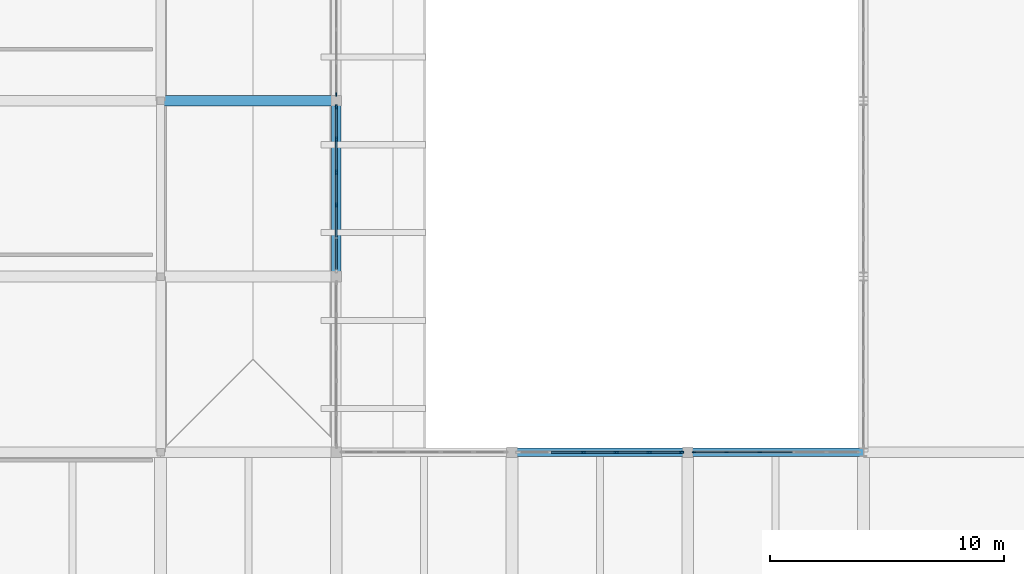
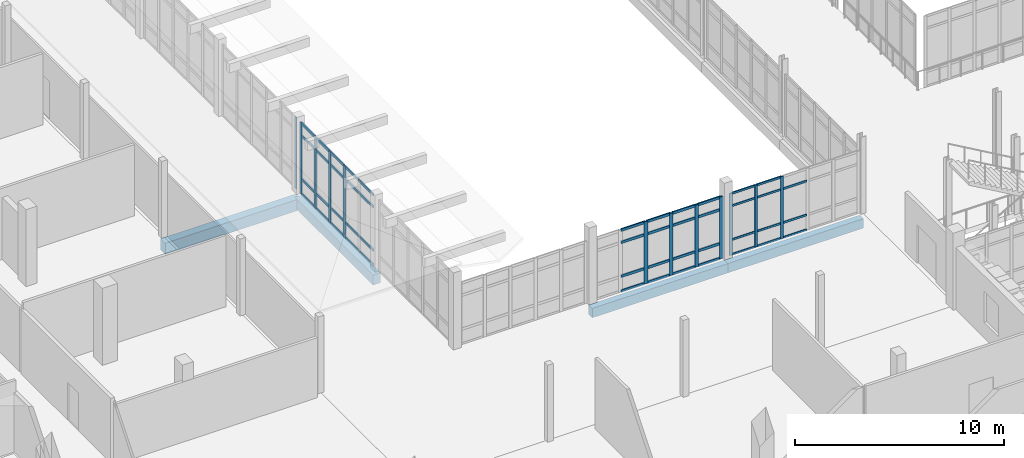
# One storey, part 22 of 128: 59 members, 4 beams, 4 elements without a shape of their own.
"""IFC4 building model written with IfcOpenShell, lengths in metres."""

import ifcopenshell
import ifcopenshell.guid

model = None  # the IFC model being written
_history = None  # IfcOwnerHistory: only IFC2X3 demands one
_inside = {}  # id of a spatial element -> (the spatial element, [elements in it])
_under = {}  # id of a project, library or spatial element -> (it, [spatial elements below it])
_declared = {}  # id of a project -> (the project, [libraries it declares])
_typed = {}  # id of a type object -> (the type object, [elements of that type])
_made_of = {}  # id of a material, layer set ... -> (it, [elements and type objects made of it])


def new_model(schema):
    """Start an empty IFC model of exactly this schema.

    Asked for "IFC4X3", IfcOpenShell would pick the latest addendum, in which some entities
    have other attributes; the version numbers below select the first issue.
    IFC2X3 requires an IfcOwnerHistory on every rooted entity: one is made here for all.
    """
    global model, _history
    if schema == "IFC4X3":
        model = ifcopenshell.file(schema_version=(4, 3, 0, 0))
    else:
        model = ifcopenshell.file(schema=schema)
    _inside.clear()
    _under.clear()
    _declared.clear()
    _typed.clear()
    _made_of.clear()
    _history = None
    if model.schema == "IFC2X3":
        org = make("IfcOrganization", Name="unknown")
        user = make(
            "IfcPersonAndOrganization",
            ThePerson=make("IfcPerson", FamilyName="unknown"),
            TheOrganization=org,
        )
        app = make(
            "IfcApplication",
            ApplicationDeveloper=org,
            Version="unknown",
            ApplicationFullName="unknown",
            ApplicationIdentifier="unknown",
        )
        _history = make(
            "IfcOwnerHistory",
            OwningUser=user,
            OwningApplication=app,
            ChangeAction="ADDED",
            CreationDate=0,
        )
    return model


def make(cls, **values):
    """One entity of the class cls with the attributes given. An attribute that is None is left unset."""
    return model.create_entity(
        cls, **{name: value for name, value in values.items() if value is not None}
    )


def rooted(cls, **values):
    """An entity with a GlobalId (a new one), such as an element, a storey or a relation."""
    return make(cls, GlobalId=ifcopenshell.guid.new(), OwnerHistory=_history, **values)


def si_unit(unit_type, name, prefix=None):
    """IfcSIUnit, for example si_unit("LENGTHUNIT", "METRE", prefix="MILLI")."""
    return make("IfcSIUnit", UnitType=unit_type, Prefix=prefix, Name=name)


def assignment(units):
    """IfcUnitAssignment: the units of a project."""
    return None if units is None else make("IfcUnitAssignment", Units=units)


def point(xyz):
    """IfcCartesianPoint."""
    return None if xyz is None else make("IfcCartesianPoint", Coordinates=xyz)


def direction(xyz):
    """IfcDirection."""
    return None if xyz is None else make("IfcDirection", DirectionRatios=xyz)


def frame(location, z_axis=None, x_axis=None):
    """IfcAxis2Placement3D, a coordinate frame: its origin and axes. An axis left out is left unset."""
    return make(
        "IfcAxis2Placement3D",
        Location=point(location),
        Axis=direction(z_axis),
        RefDirection=direction(x_axis),
    )


def frame_2d(location, x_axis=None):
    """IfcAxis2Placement2D, a coordinate frame in the plane: its origin and x axis."""
    return make(
        "IfcAxis2Placement2D", Location=point(location), RefDirection=direction(x_axis)
    )


def origin():
    """The frame at (0, 0, 0) with its axes left unset."""
    return frame((0.0, 0.0, 0.0))


def origin_2d():
    """The frame at (0, 0) in the plane with its x axis left unset."""
    return frame_2d((0.0, 0.0))


def place(relative_to, where):
    """IfcLocalPlacement: puts the frame where relative to a parent placement (None: the world)."""
    return make(
        "IfcLocalPlacement", PlacementRelTo=relative_to, RelativePlacement=where
    )


def context(
    kind, dimensions, precision=None, world=None, true_north=None, identifier=None
):
    """IfcGeometricRepresentationContext, for example the 3D "Model" context."""
    return make(
        "IfcGeometricRepresentationContext",
        ContextIdentifier=identifier,
        ContextType=kind,
        CoordinateSpaceDimension=dimensions,
        Precision=precision,
        WorldCoordinateSystem=world,
        TrueNorth=true_north,
    )


def subcontext(parent, identifier, kind, view, scale=None):
    """IfcGeometricRepresentationSubContext, for example "Body" below "Model"."""
    return make(
        "IfcGeometricRepresentationSubContext",
        ContextIdentifier=identifier,
        ContextType=kind,
        ParentContext=parent,
        TargetScale=scale,
        TargetView=view,
    )


def project(units=None, contexts=None):
    """IfcProject with its units and contexts."""
    return rooted(
        "IfcProject",
        Name="project",
        RepresentationContexts=contexts,
        UnitsInContext=assignment(units),
    )


def spatial(cls, under=None, at=None, **own):
    """A site, building, storey or space (cls), placed at a placement, below another one or the project."""
    s = rooted(cls, ObjectPlacement=at, **own)
    if under is not None:
        _under.setdefault(under.id(), (under, []))[1].append(s)
    return s


def profile(cls, at=None, kind="AREA", **sizes):
    """A parametric profile (cls). Its sizes go by their IFC names, for example OverallWidth=200.0."""
    return make(cls, ProfileType=kind, Position=at, **sizes)


def rectangle(**sizes):
    """IfcRectangleProfileDef."""
    return profile("IfcRectangleProfileDef", **sizes)


def extrude(swept, where, along, depth):
    """IfcExtrudedAreaSolid: the profile swept, set in the frame where, extruded along a direction by depth."""
    return make(
        "IfcExtrudedAreaSolid",
        SweptArea=swept,
        Position=where,
        ExtrudedDirection=direction(along),
        Depth=depth,
    )


def shape(context_of_items, identifier, shape_type, items):
    """IfcShapeRepresentation: the items that make up one representation, for example the "Body"."""
    return make(
        "IfcShapeRepresentation",
        ContextOfItems=context_of_items,
        RepresentationIdentifier=identifier,
        RepresentationType=shape_type,
        Items=items,
    )


def material(Name=None, Category=None):
    """IfcMaterial."""
    return make("IfcMaterial", Name=Name, Category=Category)


def layer(
    of_material, thickness, ventilated=None, Name=None, Category=None, Priority=None
):
    """IfcMaterialLayer: one layer of a wall or slab, of a material (None: an air gap)."""
    return make(
        "IfcMaterialLayer",
        Material=of_material,
        LayerThickness=thickness,
        IsVentilated=ventilated,
        Name=Name,
        Category=Category,
        Priority=Priority,
    )


def layer_set(layers, Name=None):
    """IfcMaterialLayerSet."""
    return make("IfcMaterialLayerSet", MaterialLayers=layers, LayerSetName=Name)


def material_profile(
    of_material, cross_section, Name=None, Category=None, Priority=None
):
    """IfcMaterialProfile: a cross section and its material."""
    return make(
        "IfcMaterialProfile",
        Name=Name,
        Material=of_material,
        Profile=cross_section,
        Priority=Priority,
        Category=Category,
    )


def profile_set(profiles, Name=None, composite=None):
    """IfcMaterialProfileSet."""
    return make(
        "IfcMaterialProfileSet",
        Name=Name,
        MaterialProfiles=profiles,
        CompositeProfile=composite,
    )


def made_of(thing, what):
    """Note that an element or type object is made of a material, layer set ...; save() writes the relation."""
    if what is not None:
        _made_of.setdefault(what.id(), (what, []))[1].append(thing)
    return thing


def type_object(cls, material=None, **own):
    """A type object (cls), such as IfcWallType, which elements share."""
    return made_of(rooted(cls, **own), material)


def element(
    cls,
    number,
    at=None,
    inside=None,
    cuts=None,
    type_object=None,
    material=None,
    context=None,
    identifier="Body",
    shape_type=None,
    held_by="IfcProductDefinitionShape",
    body=None,
    shapes=None,
    **own,
):
    """One element of the class cls, such as IfcWall. Its Tag is "e" and its number.

    at: its placement. inside: the storey or other place that contains it. cuts: it is an
    opening in that element (IfcRelVoidsElement). A single representation is given by context,
    identifier, shape_type and body (its items); several are given by shapes. held_by: the class
    of the entity that holds the representations. save() writes the other relations.
    """
    e = rooted(cls, Tag="e%d" % number, ObjectPlacement=at, **own)
    if body is not None:
        shapes = [shape(context, identifier, shape_type, body)]
    if shapes is not None:
        e.Representation = make(held_by, Representations=shapes)
    if inside is not None:
        _inside.setdefault(inside.id(), (inside, []))[1].append(e)
    if cuts is not None:
        rooted(
            "IfcRelVoidsElement", RelatingBuildingElement=cuts, RelatedOpeningElement=e
        )
    if type_object is not None:
        _typed.setdefault(type_object.id(), (type_object, []))[1].append(e)
    return made_of(e, material)


def aggregate(whole, parts):
    """IfcRelAggregates: a whole, such as a stair, and the parts it consists of."""
    return rooted("IfcRelAggregates", RelatingObject=whole, RelatedObjects=parts)


def save(model, path):
    """Write the relations noted so far, then the file.

    IfcRelAggregates (storeys below a building ...), IfcRelContainedInSpatialStructure (elements
    in a storey), IfcRelDefinesByType, IfcRelAssociatesMaterial and IfcRelDeclares: one each for
    every whole, place, type object, material and project.
    """
    for whole, parts in _under.values():
        aggregate(whole, parts)
    for where, things in _inside.values():
        rooted(
            "IfcRelContainedInSpatialStructure",
            RelatedElements=things,
            RelatingStructure=where,
        )
    for kind, things in _typed.values():
        rooted("IfcRelDefinesByType", RelatedObjects=things, RelatingType=kind)
    for what, things in _made_of.values():
        rooted("IfcRelAssociatesMaterial", RelatedObjects=things, RelatingMaterial=what)
    for by, libraries in _declared.values():
        rooted("IfcRelDeclares", RelatingContext=by, RelatedDefinitions=libraries)
    model.write(path)


model = new_model("IFC4")

# Units and contexts
model_context = context("Model", 3, precision=1e-05, world=origin(), true_north=direction((0.0, 1.0)))
body_context = subcontext(model_context, "Body", "Model", "MODEL_VIEW")
ifc_project = project(units=[si_unit("LENGTHUNIT", "METRE"), si_unit("AREAUNIT", "SQUARE_METRE"), si_unit("VOLUMEUNIT", "CUBIC_METRE"), si_unit("PLANEANGLEUNIT", "RADIAN"), si_unit("MASSUNIT", "GRAM", prefix="KILO")], contexts=[model_context])

# Site, building, storey
site_placement = place(None, origin())
site = spatial("IfcSite", under=ifc_project, at=site_placement, CompositionType="ELEMENT")
building_placement = place(site_placement, origin())
building = spatial("IfcBuilding", under=site, at=building_placement, Name="Dalvernix Boulevard General Hospital", CompositionType="ELEMENT")
storey_placement = place(building_placement, frame((0.0, 0.0, 4.800048828125)))
storey = spatial("IfcBuildingStorey", under=building, at=storey_placement, Name="L01", CompositionType="ELEMENT", Elevation=4.800048828125)

# Beams
ifc_material_1 = material(Name="Concrete C35/45", Category="concrete")
ifc_material_profile_1 = material_profile(ifc_material_1, rectangle(XDim=0.449951171875, YDim=0.64990234375, at=origin_2d()), Name="RCB 450x650")
ifc_profile_set_1 = profile_set([ifc_material_profile_1], Name="Concrete C35/45")
beam_type_1 = type_object("IfcBeamType", Name="BM-B-03-I", PredefinedType="BEAM", material=ifc_profile_set_1)
beam_1_placement = place(storey_placement, frame((30.0, 46.5, -0.625), z_axis=(1.0, 0.0, 0.0), x_axis=(0.0, 1.0, 0.0)))
element("IfcBeam", 1, at=beam_1_placement, inside=storey, type_object=beam_type_1, Name="L01 E-W girder G:5-6", PredefinedType="BEAM", context=body_context, shape_type="SweptSolid", body=[
    extrude(rectangle(XDim=0.449951171875, YDim=0.64990234375, at=origin_2d()), origin(), (0.0, 0.0, 1.0), 7.5),
])
ifc_material_profile_2 = material_profile(ifc_material_1, rectangle(XDim=0.35009765625, YDim=0.550048828125, at=origin_2d()), Name="RCB 350x550")
ifc_profile_set_2 = profile_set([ifc_material_profile_2], Name="Concrete C35/45")
beam_type_2 = type_object("IfcBeamType", Name="BM-SB-01-E", PredefinedType="SPANDREL", material=ifc_profile_set_2)
for number, where, z_axis, x_axis, name in (
    (2, (45.0, 31.5, -0.574951171875), (1.0, 0.0, 0.0), (0.0, 1.0, 0.0), "L01 E-W girder E:7-8"),
    (3, (52.5, 31.5, -0.574951171875), (1.0, 0.0, 0.0), (0.0, 1.0, 0.0), "L01 E-W girder E:8-9"),
):
    element("IfcBeam", number, at=place(storey_placement, frame(where, z_axis=z_axis, x_axis=x_axis)), inside=storey, type_object=beam_type_2, Name=name, PredefinedType="SPANDREL", context=body_context, shape_type="SweptSolid", body=[
        extrude(rectangle(XDim=0.35009765625, YDim=0.550048828125, at=origin_2d()), origin(), (0.0, 0.0, 1.0), 7.5),
    ])
ifc_material_profile_3 = material_profile(ifc_material_1, rectangle(XDim=0.39990234375, YDim=0.60009765625, at=origin_2d()), Name="RCB 400x600")
ifc_profile_set_3 = profile_set([ifc_material_profile_3], Name="Concrete C35/45")
beam_type_3 = type_object("IfcBeamType", Name="BM-SB-02-E", PredefinedType="SPANDREL", material=ifc_profile_set_3)
beam_2_placement = place(storey_placement, frame((37.5, 39.0, -0.60009765625), z_axis=(0.0, 1.0, 0.0), x_axis=(-1.0, 0.0, 0.0)))
element("IfcBeam", 4, at=beam_2_placement, inside=storey, type_object=beam_type_3, Name="L01 N-S girder 6:F-G", PredefinedType="SPANDREL", context=body_context, shape_type="SweptSolid", body=[
    extrude(rectangle(XDim=0.39990234375, YDim=0.60009765625, at=origin_2d()), origin(), (0.0, 0.0, 1.0), 7.5),
])

# Curtain wall, member
ifc_material_2 = material(Name="Thermally broken aluminium and solar-control glass curtain wall", Category="aluminium")
ifc_layer_1 = layer(ifc_material_2, 0.159912109375)
ifc_layer_set_1 = layer_set([ifc_layer_1], Name="Thermally broken aluminium and solar-control glass curtain wall (CW-CW-A-70x42)")
curtain_wall_type_1 = type_object("IfcCurtainWallType", Name="CW-CW-A-70x42", PredefinedType="USERDEFINED", material=ifc_layer_set_1)
curtain_wall_1_placement = place(storey_placement, origin())
curtain_wall_1 = element("IfcCurtainWall", 5, at=curtain_wall_1_placement, inside=storey, type_object=curtain_wall_type_1, Name="L01 curtain wall CW-A-70x42 5-6", ObjectType="GLAZED FACADE", PredefinedType="USERDEFINED")
ifc_material_3 = material(Name="Aluminium EN AW-6060", Category="aluminium")
ifc_material_profile_4 = material_profile(ifc_material_3, rectangle(XDim=0.06005859375, YDim=0.159912109375, at=origin_2d()), Name="ALU MULL 60x160")
ifc_profile_set_4 = profile_set([ifc_material_profile_4], Name="Aluminium EN AW-6060")
member_type_1 = type_object("IfcMemberType", Name="MEM-CW-M1", PredefinedType="MULLION", material=ifc_profile_set_4)
member_1_placement = place(storey_placement, frame((37.5, 46.764892578125, 0.0), z_axis=(0.0, 0.0, 1.0), x_axis=(1.0, 0.0, 0.0)))
member_1 = element("IfcMember", 6, at=member_1_placement, type_object=member_type_1, Name="CW-A-70x42 mullion 6", PredefinedType="MULLION", context=body_context, shape_type="SweptSolid", body=[
    extrude(rectangle(XDim=0.06005859375, YDim=0.159912109375, at=origin_2d()), origin(), (0.0, 0.0, 1.0), 4.179931640625),
])
aggregate(curtain_wall_1, [member_1])

# Curtain wall, members
ifc_layer_2 = layer(ifc_material_2, 0.159912109375)
ifc_layer_set_2 = layer_set([ifc_layer_2], Name="Thermally broken aluminium and solar-control glass curtain wall (CW-CW-A-71x36)")
curtain_wall_type_2 = type_object("IfcCurtainWallType", Name="CW-CW-A-71x36", PredefinedType="USERDEFINED", material=ifc_layer_set_2)
curtain_wall_2_placement = place(storey_placement, origin())
curtain_wall_2 = element("IfcCurtainWall", 7, at=curtain_wall_2_placement, inside=storey, type_object=curtain_wall_type_2, Name="L01 curtain wall CW-A-71x36 7-4", ObjectType="GLAZED FACADE", PredefinedType="USERDEFINED")
member_2_placement = place(storey_placement, frame((52.764892578125, 31.5, 0.0), z_axis=(0.0, 0.0, 1.0), x_axis=(0.0, 1.0, 0.0)))
member_2 = element("IfcMember", 8, at=member_2_placement, type_object=member_type_1, Name="CW-A-71x36 mullion 1", PredefinedType="MULLION", context=body_context, shape_type="SweptSolid", body=[
    extrude(rectangle(XDim=0.06005859375, YDim=0.159912109375, at=origin_2d()), origin(), (0.0, 0.0, 1.0), 3.6298828125),
])
member_3_placement = place(storey_placement, frame((54.156005859375, 31.5, 0.0), z_axis=(0.0, 0.0, 1.0), x_axis=(0.0, 1.0, 0.0)))
member_3 = element("IfcMember", 9, at=member_3_placement, type_object=member_type_1, Name="CW-A-71x36 mullion 2", PredefinedType="MULLION", context=body_context, shape_type="SweptSolid", body=[
    extrude(rectangle(XDim=0.06005859375, YDim=0.159912109375, at=origin_2d()), origin(), (0.0, 0.0, 1.0), 3.6298828125),
])
member_4_placement = place(storey_placement, frame((55.576904296875, 31.5, 0.0), z_axis=(0.0, 0.0, 1.0), x_axis=(0.0, 1.0, 0.0)))
member_4 = element("IfcMember", 10, at=member_4_placement, type_object=member_type_1, Name="CW-A-71x36 mullion 3", PredefinedType="MULLION", context=body_context, shape_type="SweptSolid", body=[
    extrude(rectangle(XDim=0.06005859375, YDim=0.159912109375, at=origin_2d()), origin(), (0.0, 0.0, 1.0), 3.6298828125),
])

ifc_layer_3 = layer(ifc_material_2, 0.199951171875)
ifc_layer_set_3 = layer_set([ifc_layer_3], Name="Thermally broken aluminium and solar-control glass curtain wall (CW-CW-C-70x42)")
curtain_wall_type_3 = type_object("IfcCurtainWallType", Name="CW-CW-C-70x42", PredefinedType="USERDEFINED", material=ifc_layer_set_3)
curtain_wall_3_placement = place(storey_placement, origin())
curtain_wall_3 = element("IfcCurtainWall", 11, at=curtain_wall_3_placement, inside=storey, type_object=curtain_wall_type_3, Name="L01 curtain wall CW-C-70x42 5-5", ObjectType="GLAZED FACADE", PredefinedType="USERDEFINED")
ifc_material_profile_5 = material_profile(ifc_material_3, rectangle(XDim=0.070068359375, YDim=0.199951171875, at=origin_2d()), Name="ALU MULL 70x200")
ifc_profile_set_5 = profile_set([ifc_material_profile_5], Name="Aluminium EN AW-6060")
member_type_2 = type_object("IfcMemberType", Name="MEM-CW-M3", PredefinedType="MULLION", material=ifc_profile_set_5)
member_5_placement = place(storey_placement, frame((37.5, 46.22998046875, 0.0), z_axis=(0.0, 0.0, 1.0), x_axis=(1.0, 0.0, 0.0)))
member_5 = element("IfcMember", 12, at=member_5_placement, type_object=member_type_2, Name="CW-C-70x42 mullion 1", PredefinedType="MULLION", context=body_context, shape_type="SweptSolid", body=[
    extrude(rectangle(XDim=0.070068359375, YDim=0.199951171875, at=origin_2d()), origin(), (0.0, 0.0, 1.0), 4.179931640625),
])
member_6_placement = place(storey_placement, frame((37.5, 44.85888671875, 0.0), z_axis=(0.0, 0.0, 1.0), x_axis=(1.0, 0.0, 0.0)))
member_6 = element("IfcMember", 13, at=member_6_placement, type_object=member_type_2, Name="CW-C-70x42 mullion 2", PredefinedType="MULLION", context=body_context, shape_type="SweptSolid", body=[
    extrude(rectangle(XDim=0.070068359375, YDim=0.199951171875, at=origin_2d()), origin(), (0.0, 0.0, 1.0), 4.179931640625),
])
member_7_placement = place(storey_placement, frame((37.5, 43.452880859375, 0.0), z_axis=(0.0, 0.0, 1.0), x_axis=(1.0, 0.0, 0.0)))
member_7 = element("IfcMember", 14, at=member_7_placement, type_object=member_type_2, Name="CW-C-70x42 mullion 3", PredefinedType="MULLION", context=body_context, shape_type="SweptSolid", body=[
    extrude(rectangle(XDim=0.070068359375, YDim=0.199951171875, at=origin_2d()), origin(), (0.0, 0.0, 1.0), 4.179931640625),
])
member_8_placement = place(storey_placement, frame((37.5, 42.047119140625, 0.0), z_axis=(0.0, 0.0, 1.0), x_axis=(1.0, 0.0, 0.0)))
member_8 = element("IfcMember", 15, at=member_8_placement, type_object=member_type_2, Name="CW-C-70x42 mullion 4", PredefinedType="MULLION", context=body_context, shape_type="SweptSolid", body=[
    extrude(rectangle(XDim=0.070068359375, YDim=0.199951171875, at=origin_2d()), origin(), (0.0, 0.0, 1.0), 4.179931640625),
])

ifc_layer_4 = layer(ifc_material_2, 0.199951171875)
ifc_layer_set_4 = layer_set([ifc_layer_4], Name="Thermally broken aluminium and solar-control glass curtain wall (CW-CW-C-70x36)")
curtain_wall_type_4 = type_object("IfcCurtainWallType", Name="CW-CW-C-70x36", PredefinedType="USERDEFINED", material=ifc_layer_set_4)
curtain_wall_4_placement = place(storey_placement, origin())
curtain_wall_4 = element("IfcCurtainWall", 16, at=curtain_wall_4_placement, inside=storey, type_object=curtain_wall_type_4, Name="L01 curtain wall CW-C-70x36 6-4", ObjectType="GLAZED FACADE", PredefinedType="USERDEFINED")
member_9_placement = place(storey_placement, frame((48.047119140625, 31.5, 0.0), z_axis=(0.0, 0.0, 1.0), x_axis=(0.0, 1.0, 0.0)))
member_9 = element("IfcMember", 17, at=member_9_placement, type_object=member_type_2, Name="CW-C-70x36 mullion 3", PredefinedType="MULLION", context=body_context, shape_type="SweptSolid", body=[
    extrude(rectangle(XDim=0.070068359375, YDim=0.199951171875, at=origin_2d()), origin(), (0.0, 0.0, 1.0), 3.6298828125),
])
member_10_placement = place(storey_placement, frame((49.452880859375, 31.5, 0.0), z_axis=(0.0, 0.0, 1.0), x_axis=(0.0, 1.0, 0.0)))
member_10 = element("IfcMember", 18, at=member_10_placement, type_object=member_type_2, Name="CW-C-70x36 mullion 4", PredefinedType="MULLION", context=body_context, shape_type="SweptSolid", body=[
    extrude(rectangle(XDim=0.070068359375, YDim=0.199951171875, at=origin_2d()), origin(), (0.0, 0.0, 1.0), 3.6298828125),
])
member_11_placement = place(storey_placement, frame((50.85888671875, 31.5, 0.0), z_axis=(0.0, 0.0, 1.0), x_axis=(0.0, 1.0, 0.0)))
member_11 = element("IfcMember", 19, at=member_11_placement, type_object=member_type_2, Name="CW-C-70x36 mullion 5", PredefinedType="MULLION", context=body_context, shape_type="SweptSolid", body=[
    extrude(rectangle(XDim=0.070068359375, YDim=0.199951171875, at=origin_2d()), origin(), (0.0, 0.0, 1.0), 3.6298828125),
])
member_12_placement = place(storey_placement, frame((52.22998046875, 31.5, 0.0), z_axis=(0.0, 0.0, 1.0), x_axis=(0.0, 1.0, 0.0)))
member_12 = element("IfcMember", 20, at=member_12_placement, type_object=member_type_2, Name="CW-C-70x36 mullion 6", PredefinedType="MULLION", context=body_context, shape_type="SweptSolid", body=[
    extrude(rectangle(XDim=0.070068359375, YDim=0.199951171875, at=origin_2d()), origin(), (0.0, 0.0, 1.0), 3.6298828125),
])

# Member
ifc_material_profile_6 = material_profile(ifc_material_3, rectangle(XDim=0.06005859375, YDim=0.1201171875, at=origin_2d()), Name="ALU TRAN 60x120")
ifc_profile_set_6 = profile_set([ifc_material_profile_6], Name="Aluminium EN AW-6060")
member_type_3 = type_object("IfcMemberType", Name="MEM-CW-T1", PredefinedType="USERDEFINED", material=ifc_profile_set_6)
member_13_placement = place(storey_placement, frame((52.794921875, 31.5, 0.030029296875), z_axis=(1.0, 0.0, 0.0), x_axis=(0.0, 1.0, 0.0)))
member_13 = element("IfcMember", 21, at=member_13_placement, type_object=member_type_3, Name="CW-A-71x36 transom 1.1", ObjectType="TRANSOM", PredefinedType="USERDEFINED", context=body_context, shape_type="SweptSolid", body=[
    extrude(rectangle(XDim=0.06005859375, YDim=0.1201171875, at=origin_2d()), origin(), (0.0, 0.0, 1.0), 1.3310546875),
])

member_14_placement = place(storey_placement, frame((52.794921875, 31.5, 0.89990234375), z_axis=(1.0, 0.0, 0.0), x_axis=(0.0, 1.0, 0.0)))
member_14 = element("IfcMember", 22, at=member_14_placement, type_object=member_type_3, Name="CW-A-71x36 transom 1.2", ObjectType="TRANSOM", PredefinedType="USERDEFINED", context=body_context, shape_type="SweptSolid", body=[
    extrude(rectangle(XDim=0.06005859375, YDim=0.1201171875, at=origin_2d()), origin(), (0.0, 0.0, 1.0), 1.3310546875),
])

member_15_placement = place(storey_placement, frame((52.794921875, 31.5, 2.8798828125), z_axis=(1.0, 0.0, 0.0), x_axis=(0.0, 1.0, 0.0)))
member_15 = element("IfcMember", 23, at=member_15_placement, type_object=member_type_3, Name="CW-A-71x36 transom 1.3", ObjectType="TRANSOM", PredefinedType="USERDEFINED", context=body_context, shape_type="SweptSolid", body=[
    extrude(rectangle(XDim=0.06005859375, YDim=0.1201171875, at=origin_2d()), origin(), (0.0, 0.0, 1.0), 1.3310546875),
])

member_16_placement = place(storey_placement, frame((52.794921875, 31.5, 3.599853515625), z_axis=(1.0, 0.0, 0.0), x_axis=(0.0, 1.0, 0.0)))
member_16 = element("IfcMember", 24, at=member_16_placement, type_object=member_type_3, Name="CW-A-71x36 transom 1.4", ObjectType="TRANSOM", PredefinedType="USERDEFINED", context=body_context, shape_type="SweptSolid", body=[
    extrude(rectangle(XDim=0.06005859375, YDim=0.1201171875, at=origin_2d()), origin(), (0.0, 0.0, 1.0), 1.3310546875),
])

member_17_placement = place(storey_placement, frame((54.18603515625, 31.5, 0.030029296875), z_axis=(1.0, 0.0, 0.0), x_axis=(0.0, 1.0, 0.0)))
member_17 = element("IfcMember", 25, at=member_17_placement, type_object=member_type_3, Name="CW-A-71x36 transom 2.1", ObjectType="TRANSOM", PredefinedType="USERDEFINED", context=body_context, shape_type="SweptSolid", body=[
    extrude(rectangle(XDim=0.06005859375, YDim=0.1201171875, at=origin_2d()), origin(), (0.0, 0.0, 1.0), 1.361083984375),
])

member_18_placement = place(storey_placement, frame((54.18603515625, 31.5, 0.89990234375), z_axis=(1.0, 0.0, 0.0), x_axis=(0.0, 1.0, 0.0)))
member_18 = element("IfcMember", 26, at=member_18_placement, type_object=member_type_3, Name="CW-A-71x36 transom 2.2", ObjectType="TRANSOM", PredefinedType="USERDEFINED", context=body_context, shape_type="SweptSolid", body=[
    extrude(rectangle(XDim=0.06005859375, YDim=0.1201171875, at=origin_2d()), origin(), (0.0, 0.0, 1.0), 1.361083984375),
])

member_19_placement = place(storey_placement, frame((54.18603515625, 31.5, 2.8798828125), z_axis=(1.0, 0.0, 0.0), x_axis=(0.0, 1.0, 0.0)))
member_19 = element("IfcMember", 27, at=member_19_placement, type_object=member_type_3, Name="CW-A-71x36 transom 2.3", ObjectType="TRANSOM", PredefinedType="USERDEFINED", context=body_context, shape_type="SweptSolid", body=[
    extrude(rectangle(XDim=0.06005859375, YDim=0.1201171875, at=origin_2d()), origin(), (0.0, 0.0, 1.0), 1.361083984375),
])

member_20_placement = place(storey_placement, frame((54.18603515625, 31.5, 3.599853515625), z_axis=(1.0, 0.0, 0.0), x_axis=(0.0, 1.0, 0.0)))
member_20 = element("IfcMember", 28, at=member_20_placement, type_object=member_type_3, Name="CW-A-71x36 transom 2.4", ObjectType="TRANSOM", PredefinedType="USERDEFINED", context=body_context, shape_type="SweptSolid", body=[
    extrude(rectangle(XDim=0.06005859375, YDim=0.1201171875, at=origin_2d()), origin(), (0.0, 0.0, 1.0), 1.361083984375),
])

member_21_placement = place(storey_placement, frame((55.60693359375, 31.5, 0.030029296875), z_axis=(1.0, 0.0, 0.0), x_axis=(0.0, 1.0, 0.0)))
member_21 = element("IfcMember", 29, at=member_21_placement, type_object=member_type_3, Name="CW-A-71x36 transom 3.1", ObjectType="TRANSOM", PredefinedType="USERDEFINED", context=body_context, shape_type="SweptSolid", body=[
    extrude(rectangle(XDim=0.06005859375, YDim=0.1201171875, at=origin_2d()), origin(), (0.0, 0.0, 1.0), 1.361083984375),
])

member_22_placement = place(storey_placement, frame((55.60693359375, 31.5, 0.89990234375), z_axis=(1.0, 0.0, 0.0), x_axis=(0.0, 1.0, 0.0)))
member_22 = element("IfcMember", 30, at=member_22_placement, type_object=member_type_3, Name="CW-A-71x36 transom 3.2", ObjectType="TRANSOM", PredefinedType="USERDEFINED", context=body_context, shape_type="SweptSolid", body=[
    extrude(rectangle(XDim=0.06005859375, YDim=0.1201171875, at=origin_2d()), origin(), (0.0, 0.0, 1.0), 1.361083984375),
])

member_23_placement = place(storey_placement, frame((55.60693359375, 31.5, 2.8798828125), z_axis=(1.0, 0.0, 0.0), x_axis=(0.0, 1.0, 0.0)))
member_23 = element("IfcMember", 31, at=member_23_placement, type_object=member_type_3, Name="CW-A-71x36 transom 3.3", ObjectType="TRANSOM", PredefinedType="USERDEFINED", context=body_context, shape_type="SweptSolid", body=[
    extrude(rectangle(XDim=0.06005859375, YDim=0.1201171875, at=origin_2d()), origin(), (0.0, 0.0, 1.0), 1.361083984375),
])

aggregate(curtain_wall_2, [member_2, member_3, member_4, member_13, member_14, member_15, member_16, member_17, member_18, member_19, member_20, member_21, member_22, member_23])

ifc_material_profile_7 = material_profile(ifc_material_3, rectangle(XDim=0.070068359375, YDim=0.14990234375, at=origin_2d()), Name="ALU TRAN 70x150")
ifc_profile_set_7 = profile_set([ifc_material_profile_7], Name="Aluminium EN AW-6060")
member_type_4 = type_object("IfcMemberType", Name="MEM-CW-T3", PredefinedType="USERDEFINED", material=ifc_profile_set_7)
member_24_placement = place(storey_placement, frame((37.5, 46.195068359375, 0.034912109375), z_axis=(0.0, -1.0, 0.0), x_axis=(1.0, 0.0, 0.0)))
member_24 = element("IfcMember", 32, at=member_24_placement, type_object=member_type_4, Name="CW-C-70x42 transom 1.1", ObjectType="TRANSOM", PredefinedType="USERDEFINED", context=body_context, shape_type="SweptSolid", body=[
    extrude(rectangle(XDim=0.070068359375, YDim=0.14990234375, at=origin_2d()), origin(), (0.0, 0.0, 1.0), 1.301025390625),
])

member_25_placement = place(storey_placement, frame((37.5, 46.195068359375, 0.89990234375), z_axis=(0.0, -1.0, 0.0), x_axis=(1.0, 0.0, 0.0)))
member_25 = element("IfcMember", 33, at=member_25_placement, type_object=member_type_4, Name="CW-C-70x42 transom 1.2", ObjectType="TRANSOM", PredefinedType="USERDEFINED", context=body_context, shape_type="SweptSolid", body=[
    extrude(rectangle(XDim=0.070068359375, YDim=0.14990234375, at=origin_2d()), origin(), (0.0, 0.0, 1.0), 1.301025390625),
])

member_26_placement = place(storey_placement, frame((37.5, 46.195068359375, 3.429931640625), z_axis=(0.0, -1.0, 0.0), x_axis=(1.0, 0.0, 0.0)))
member_26 = element("IfcMember", 34, at=member_26_placement, type_object=member_type_4, Name="CW-C-70x42 transom 1.3", ObjectType="TRANSOM", PredefinedType="USERDEFINED", context=body_context, shape_type="SweptSolid", body=[
    extrude(rectangle(XDim=0.070068359375, YDim=0.14990234375, at=origin_2d()), origin(), (0.0, 0.0, 1.0), 1.301025390625),
])

member_27_placement = place(storey_placement, frame((37.5, 46.195068359375, 4.14501953125), z_axis=(0.0, -1.0, 0.0), x_axis=(1.0, 0.0, 0.0)))
member_27 = element("IfcMember", 35, at=member_27_placement, type_object=member_type_4, Name="CW-C-70x42 transom 1.4", ObjectType="TRANSOM", PredefinedType="USERDEFINED", context=body_context, shape_type="SweptSolid", body=[
    extrude(rectangle(XDim=0.070068359375, YDim=0.14990234375, at=origin_2d()), origin(), (0.0, 0.0, 1.0), 1.301025390625),
])

member_28_placement = place(storey_placement, frame((37.5, 44.823974609375, 0.034912109375), z_axis=(0.0, -1.0, 0.0), x_axis=(1.0, 0.0, 0.0)))
member_28 = element("IfcMember", 36, at=member_28_placement, type_object=member_type_4, Name="CW-C-70x42 transom 2.1", ObjectType="TRANSOM", PredefinedType="USERDEFINED", context=body_context, shape_type="SweptSolid", body=[
    extrude(rectangle(XDim=0.070068359375, YDim=0.14990234375, at=origin_2d()), origin(), (0.0, 0.0, 1.0), 1.3359375),
])

member_29_placement = place(storey_placement, frame((37.5, 44.823974609375, 0.89990234375), z_axis=(0.0, -1.0, 0.0), x_axis=(1.0, 0.0, 0.0)))
member_29 = element("IfcMember", 37, at=member_29_placement, type_object=member_type_4, Name="CW-C-70x42 transom 2.2", ObjectType="TRANSOM", PredefinedType="USERDEFINED", context=body_context, shape_type="SweptSolid", body=[
    extrude(rectangle(XDim=0.070068359375, YDim=0.14990234375, at=origin_2d()), origin(), (0.0, 0.0, 1.0), 1.3359375),
])

member_30_placement = place(storey_placement, frame((37.5, 44.823974609375, 3.429931640625), z_axis=(0.0, -1.0, 0.0), x_axis=(1.0, 0.0, 0.0)))
member_30 = element("IfcMember", 38, at=member_30_placement, type_object=member_type_4, Name="CW-C-70x42 transom 2.3", ObjectType="TRANSOM", PredefinedType="USERDEFINED", context=body_context, shape_type="SweptSolid", body=[
    extrude(rectangle(XDim=0.070068359375, YDim=0.14990234375, at=origin_2d()), origin(), (0.0, 0.0, 1.0), 1.3359375),
])

member_31_placement = place(storey_placement, frame((37.5, 44.823974609375, 4.14501953125), z_axis=(0.0, -1.0, 0.0), x_axis=(1.0, 0.0, 0.0)))
member_31 = element("IfcMember", 39, at=member_31_placement, type_object=member_type_4, Name="CW-C-70x42 transom 2.4", ObjectType="TRANSOM", PredefinedType="USERDEFINED", context=body_context, shape_type="SweptSolid", body=[
    extrude(rectangle(XDim=0.070068359375, YDim=0.14990234375, at=origin_2d()), origin(), (0.0, 0.0, 1.0), 1.3359375),
])

member_32_placement = place(storey_placement, frame((37.5, 43.41796875, 0.034912109375), z_axis=(0.0, -1.0, 0.0), x_axis=(1.0, 0.0, 0.0)))
member_32 = element("IfcMember", 40, at=member_32_placement, type_object=member_type_4, Name="CW-C-70x42 transom 3.1", ObjectType="TRANSOM", PredefinedType="USERDEFINED", context=body_context, shape_type="SweptSolid", body=[
    extrude(rectangle(XDim=0.070068359375, YDim=0.14990234375, at=origin_2d()), origin(), (0.0, 0.0, 1.0), 1.3359375),
])

member_33_placement = place(storey_placement, frame((37.5, 43.41796875, 0.89990234375), z_axis=(0.0, -1.0, 0.0), x_axis=(1.0, 0.0, 0.0)))
member_33 = element("IfcMember", 41, at=member_33_placement, type_object=member_type_4, Name="CW-C-70x42 transom 3.2", ObjectType="TRANSOM", PredefinedType="USERDEFINED", context=body_context, shape_type="SweptSolid", body=[
    extrude(rectangle(XDim=0.070068359375, YDim=0.14990234375, at=origin_2d()), origin(), (0.0, 0.0, 1.0), 1.3359375),
])

member_34_placement = place(storey_placement, frame((37.5, 43.41796875, 3.429931640625), z_axis=(0.0, -1.0, 0.0), x_axis=(1.0, 0.0, 0.0)))
member_34 = element("IfcMember", 42, at=member_34_placement, type_object=member_type_4, Name="CW-C-70x42 transom 3.3", ObjectType="TRANSOM", PredefinedType="USERDEFINED", context=body_context, shape_type="SweptSolid", body=[
    extrude(rectangle(XDim=0.070068359375, YDim=0.14990234375, at=origin_2d()), origin(), (0.0, 0.0, 1.0), 1.3359375),
])

member_35_placement = place(storey_placement, frame((37.5, 43.41796875, 4.14501953125), z_axis=(0.0, -1.0, 0.0), x_axis=(1.0, 0.0, 0.0)))
member_35 = element("IfcMember", 43, at=member_35_placement, type_object=member_type_4, Name="CW-C-70x42 transom 3.4", ObjectType="TRANSOM", PredefinedType="USERDEFINED", context=body_context, shape_type="SweptSolid", body=[
    extrude(rectangle(XDim=0.070068359375, YDim=0.14990234375, at=origin_2d()), origin(), (0.0, 0.0, 1.0), 1.3359375),
])

member_36_placement = place(storey_placement, frame((37.5, 42.011962890625, 0.034912109375), z_axis=(0.0, -1.0, 0.0), x_axis=(1.0, 0.0, 0.0)))
member_36 = element("IfcMember", 44, at=member_36_placement, type_object=member_type_4, Name="CW-C-70x42 transom 4.1", ObjectType="TRANSOM", PredefinedType="USERDEFINED", context=body_context, shape_type="SweptSolid", body=[
    extrude(rectangle(XDim=0.070068359375, YDim=0.14990234375, at=origin_2d()), origin(), (0.0, 0.0, 1.0), 1.3359375),
])

member_37_placement = place(storey_placement, frame((37.5, 42.011962890625, 0.89990234375), z_axis=(0.0, -1.0, 0.0), x_axis=(1.0, 0.0, 0.0)))
member_37 = element("IfcMember", 45, at=member_37_placement, type_object=member_type_4, Name="CW-C-70x42 transom 4.2", ObjectType="TRANSOM", PredefinedType="USERDEFINED", context=body_context, shape_type="SweptSolid", body=[
    extrude(rectangle(XDim=0.070068359375, YDim=0.14990234375, at=origin_2d()), origin(), (0.0, 0.0, 1.0), 1.3359375),
])

member_38_placement = place(storey_placement, frame((37.5, 42.011962890625, 3.429931640625), z_axis=(0.0, -1.0, 0.0), x_axis=(1.0, 0.0, 0.0)))
member_38 = element("IfcMember", 46, at=member_38_placement, type_object=member_type_4, Name="CW-C-70x42 transom 4.3", ObjectType="TRANSOM", PredefinedType="USERDEFINED", context=body_context, shape_type="SweptSolid", body=[
    extrude(rectangle(XDim=0.070068359375, YDim=0.14990234375, at=origin_2d()), origin(), (0.0, 0.0, 1.0), 1.3359375),
])

member_39_placement = place(storey_placement, frame((37.5, 42.011962890625, 4.14501953125), z_axis=(0.0, -1.0, 0.0), x_axis=(1.0, 0.0, 0.0)))
member_39 = element("IfcMember", 47, at=member_39_placement, type_object=member_type_4, Name="CW-C-70x42 transom 4.4", ObjectType="TRANSOM", PredefinedType="USERDEFINED", context=body_context, shape_type="SweptSolid", body=[
    extrude(rectangle(XDim=0.070068359375, YDim=0.14990234375, at=origin_2d()), origin(), (0.0, 0.0, 1.0), 1.3359375),
])

member_40_placement = place(storey_placement, frame((37.5, 40.60595703125, 0.034912109375), z_axis=(0.0, -1.0, 0.0), x_axis=(1.0, 0.0, 0.0)))
member_40 = element("IfcMember", 48, at=member_40_placement, type_object=member_type_4, Name="CW-C-70x42 transom 5.1", ObjectType="TRANSOM", PredefinedType="USERDEFINED", context=body_context, shape_type="SweptSolid", body=[
    extrude(rectangle(XDim=0.070068359375, YDim=0.14990234375, at=origin_2d()), origin(), (0.0, 0.0, 1.0), 1.301025390625),
])

member_41_placement = place(storey_placement, frame((37.5, 40.60595703125, 0.89990234375), z_axis=(0.0, -1.0, 0.0), x_axis=(1.0, 0.0, 0.0)))
member_41 = element("IfcMember", 49, at=member_41_placement, type_object=member_type_4, Name="CW-C-70x42 transom 5.2", ObjectType="TRANSOM", PredefinedType="USERDEFINED", context=body_context, shape_type="SweptSolid", body=[
    extrude(rectangle(XDim=0.070068359375, YDim=0.14990234375, at=origin_2d()), origin(), (0.0, 0.0, 1.0), 1.301025390625),
])

member_42_placement = place(storey_placement, frame((37.5, 40.60595703125, 3.429931640625), z_axis=(0.0, -1.0, 0.0), x_axis=(1.0, 0.0, 0.0)))
member_42 = element("IfcMember", 50, at=member_42_placement, type_object=member_type_4, Name="CW-C-70x42 transom 5.3", ObjectType="TRANSOM", PredefinedType="USERDEFINED", context=body_context, shape_type="SweptSolid", body=[
    extrude(rectangle(XDim=0.070068359375, YDim=0.14990234375, at=origin_2d()), origin(), (0.0, 0.0, 1.0), 1.301025390625),
])

member_43_placement = place(storey_placement, frame((37.5, 40.60595703125, 4.14501953125), z_axis=(0.0, -1.0, 0.0), x_axis=(1.0, 0.0, 0.0)))
member_43 = element("IfcMember", 51, at=member_43_placement, type_object=member_type_4, Name="CW-C-70x42 transom 5.4", ObjectType="TRANSOM", PredefinedType="USERDEFINED", context=body_context, shape_type="SweptSolid", body=[
    extrude(rectangle(XDim=0.070068359375, YDim=0.14990234375, at=origin_2d()), origin(), (0.0, 0.0, 1.0), 1.301025390625),
])

aggregate(curtain_wall_3, [member_5, member_6, member_7, member_8, member_24, member_25, member_26, member_27, member_28, member_29, member_30, member_31, member_32, member_33, member_34, member_35, member_36, member_37, member_38, member_39, member_40, member_41, member_42, member_43])

member_44_placement = place(storey_placement, frame((46.676025390625, 31.5, 0.034912109375), z_axis=(1.0, 0.0, 0.0), x_axis=(0.0, 1.0, 0.0)))
member_44 = element("IfcMember", 52, at=member_44_placement, type_object=member_type_4, Name="CW-C-70x36 transom 2.1", ObjectType="TRANSOM", PredefinedType="USERDEFINED", context=body_context, shape_type="SweptSolid", body=[
    extrude(rectangle(XDim=0.070068359375, YDim=0.14990234375, at=origin_2d()), origin(), (0.0, 0.0, 1.0), 1.3359375),
])

member_45_placement = place(storey_placement, frame((46.676025390625, 31.5, 0.89990234375), z_axis=(1.0, 0.0, 0.0), x_axis=(0.0, 1.0, 0.0)))
member_45 = element("IfcMember", 53, at=member_45_placement, type_object=member_type_4, Name="CW-C-70x36 transom 2.2", ObjectType="TRANSOM", PredefinedType="USERDEFINED", context=body_context, shape_type="SweptSolid", body=[
    extrude(rectangle(XDim=0.070068359375, YDim=0.14990234375, at=origin_2d()), origin(), (0.0, 0.0, 1.0), 1.3359375),
])

member_46_placement = place(storey_placement, frame((46.676025390625, 31.5, 2.8798828125), z_axis=(1.0, 0.0, 0.0), x_axis=(0.0, 1.0, 0.0)))
member_46 = element("IfcMember", 54, at=member_46_placement, type_object=member_type_4, Name="CW-C-70x36 transom 2.3", ObjectType="TRANSOM", PredefinedType="USERDEFINED", context=body_context, shape_type="SweptSolid", body=[
    extrude(rectangle(XDim=0.070068359375, YDim=0.14990234375, at=origin_2d()), origin(), (0.0, 0.0, 1.0), 1.3359375),
])

member_47_placement = place(storey_placement, frame((46.676025390625, 31.5, 3.594970703125), z_axis=(1.0, 0.0, 0.0), x_axis=(0.0, 1.0, 0.0)))
member_47 = element("IfcMember", 55, at=member_47_placement, type_object=member_type_4, Name="CW-C-70x36 transom 2.4", ObjectType="TRANSOM", PredefinedType="USERDEFINED", context=body_context, shape_type="SweptSolid", body=[
    extrude(rectangle(XDim=0.070068359375, YDim=0.14990234375, at=origin_2d()), origin(), (0.0, 0.0, 1.0), 1.3359375),
])

member_48_placement = place(storey_placement, frame((48.08203125, 31.5, 0.034912109375), z_axis=(1.0, 0.0, 0.0), x_axis=(0.0, 1.0, 0.0)))
member_48 = element("IfcMember", 56, at=member_48_placement, type_object=member_type_4, Name="CW-C-70x36 transom 3.1", ObjectType="TRANSOM", PredefinedType="USERDEFINED", context=body_context, shape_type="SweptSolid", body=[
    extrude(rectangle(XDim=0.070068359375, YDim=0.14990234375, at=origin_2d()), origin(), (0.0, 0.0, 1.0), 1.3359375),
])

member_49_placement = place(storey_placement, frame((48.08203125, 31.5, 0.89990234375), z_axis=(1.0, 0.0, 0.0), x_axis=(0.0, 1.0, 0.0)))
member_49 = element("IfcMember", 57, at=member_49_placement, type_object=member_type_4, Name="CW-C-70x36 transom 3.2", ObjectType="TRANSOM", PredefinedType="USERDEFINED", context=body_context, shape_type="SweptSolid", body=[
    extrude(rectangle(XDim=0.070068359375, YDim=0.14990234375, at=origin_2d()), origin(), (0.0, 0.0, 1.0), 1.3359375),
])

member_50_placement = place(storey_placement, frame((48.08203125, 31.5, 2.8798828125), z_axis=(1.0, 0.0, 0.0), x_axis=(0.0, 1.0, 0.0)))
member_50 = element("IfcMember", 58, at=member_50_placement, type_object=member_type_4, Name="CW-C-70x36 transom 3.3", ObjectType="TRANSOM", PredefinedType="USERDEFINED", context=body_context, shape_type="SweptSolid", body=[
    extrude(rectangle(XDim=0.070068359375, YDim=0.14990234375, at=origin_2d()), origin(), (0.0, 0.0, 1.0), 1.3359375),
])

member_51_placement = place(storey_placement, frame((48.08203125, 31.5, 3.594970703125), z_axis=(1.0, 0.0, 0.0), x_axis=(0.0, 1.0, 0.0)))
member_51 = element("IfcMember", 59, at=member_51_placement, type_object=member_type_4, Name="CW-C-70x36 transom 3.4", ObjectType="TRANSOM", PredefinedType="USERDEFINED", context=body_context, shape_type="SweptSolid", body=[
    extrude(rectangle(XDim=0.070068359375, YDim=0.14990234375, at=origin_2d()), origin(), (0.0, 0.0, 1.0), 1.3359375),
])

member_52_placement = place(storey_placement, frame((49.488037109375, 31.5, 0.034912109375), z_axis=(1.0, 0.0, 0.0), x_axis=(0.0, 1.0, 0.0)))
member_52 = element("IfcMember", 60, at=member_52_placement, type_object=member_type_4, Name="CW-C-70x36 transom 4.1", ObjectType="TRANSOM", PredefinedType="USERDEFINED", context=body_context, shape_type="SweptSolid", body=[
    extrude(rectangle(XDim=0.070068359375, YDim=0.14990234375, at=origin_2d()), origin(), (0.0, 0.0, 1.0), 1.3359375),
])

member_53_placement = place(storey_placement, frame((49.488037109375, 31.5, 0.89990234375), z_axis=(1.0, 0.0, 0.0), x_axis=(0.0, 1.0, 0.0)))
member_53 = element("IfcMember", 61, at=member_53_placement, type_object=member_type_4, Name="CW-C-70x36 transom 4.2", ObjectType="TRANSOM", PredefinedType="USERDEFINED", context=body_context, shape_type="SweptSolid", body=[
    extrude(rectangle(XDim=0.070068359375, YDim=0.14990234375, at=origin_2d()), origin(), (0.0, 0.0, 1.0), 1.3359375),
])

member_54_placement = place(storey_placement, frame((49.488037109375, 31.5, 2.8798828125), z_axis=(1.0, 0.0, 0.0), x_axis=(0.0, 1.0, 0.0)))
member_54 = element("IfcMember", 62, at=member_54_placement, type_object=member_type_4, Name="CW-C-70x36 transom 4.3", ObjectType="TRANSOM", PredefinedType="USERDEFINED", context=body_context, shape_type="SweptSolid", body=[
    extrude(rectangle(XDim=0.070068359375, YDim=0.14990234375, at=origin_2d()), origin(), (0.0, 0.0, 1.0), 1.3359375),
])

member_55_placement = place(storey_placement, frame((49.488037109375, 31.5, 3.594970703125), z_axis=(1.0, 0.0, 0.0), x_axis=(0.0, 1.0, 0.0)))
member_55 = element("IfcMember", 63, at=member_55_placement, type_object=member_type_4, Name="CW-C-70x36 transom 4.4", ObjectType="TRANSOM", PredefinedType="USERDEFINED", context=body_context, shape_type="SweptSolid", body=[
    extrude(rectangle(XDim=0.070068359375, YDim=0.14990234375, at=origin_2d()), origin(), (0.0, 0.0, 1.0), 1.3359375),
])

member_56_placement = place(storey_placement, frame((50.89404296875, 31.5, 0.034912109375), z_axis=(1.0, 0.0, 0.0), x_axis=(0.0, 1.0, 0.0)))
member_56 = element("IfcMember", 64, at=member_56_placement, type_object=member_type_4, Name="CW-C-70x36 transom 5.1", ObjectType="TRANSOM", PredefinedType="USERDEFINED", context=body_context, shape_type="SweptSolid", body=[
    extrude(rectangle(XDim=0.070068359375, YDim=0.14990234375, at=origin_2d()), origin(), (0.0, 0.0, 1.0), 1.301025390625),
])

member_57_placement = place(storey_placement, frame((50.89404296875, 31.5, 0.89990234375), z_axis=(1.0, 0.0, 0.0), x_axis=(0.0, 1.0, 0.0)))
member_57 = element("IfcMember", 65, at=member_57_placement, type_object=member_type_4, Name="CW-C-70x36 transom 5.2", ObjectType="TRANSOM", PredefinedType="USERDEFINED", context=body_context, shape_type="SweptSolid", body=[
    extrude(rectangle(XDim=0.070068359375, YDim=0.14990234375, at=origin_2d()), origin(), (0.0, 0.0, 1.0), 1.301025390625),
])

member_58_placement = place(storey_placement, frame((50.89404296875, 31.5, 2.8798828125), z_axis=(1.0, 0.0, 0.0), x_axis=(0.0, 1.0, 0.0)))
member_58 = element("IfcMember", 66, at=member_58_placement, type_object=member_type_4, Name="CW-C-70x36 transom 5.3", ObjectType="TRANSOM", PredefinedType="USERDEFINED", context=body_context, shape_type="SweptSolid", body=[
    extrude(rectangle(XDim=0.070068359375, YDim=0.14990234375, at=origin_2d()), origin(), (0.0, 0.0, 1.0), 1.301025390625),
])

member_59_placement = place(storey_placement, frame((50.89404296875, 31.5, 3.594970703125), z_axis=(1.0, 0.0, 0.0), x_axis=(0.0, 1.0, 0.0)))
member_59 = element("IfcMember", 67, at=member_59_placement, type_object=member_type_4, Name="CW-C-70x36 transom 5.4", ObjectType="TRANSOM", PredefinedType="USERDEFINED", context=body_context, shape_type="SweptSolid", body=[
    extrude(rectangle(XDim=0.070068359375, YDim=0.14990234375, at=origin_2d()), origin(), (0.0, 0.0, 1.0), 1.301025390625),
])

aggregate(curtain_wall_4, [member_9, member_10, member_11, member_12, member_44, member_45, member_46, member_47, member_48, member_49, member_50, member_51, member_52, member_53, member_54, member_55, member_56, member_57, member_58, member_59])

save(model, "model.ifc")
